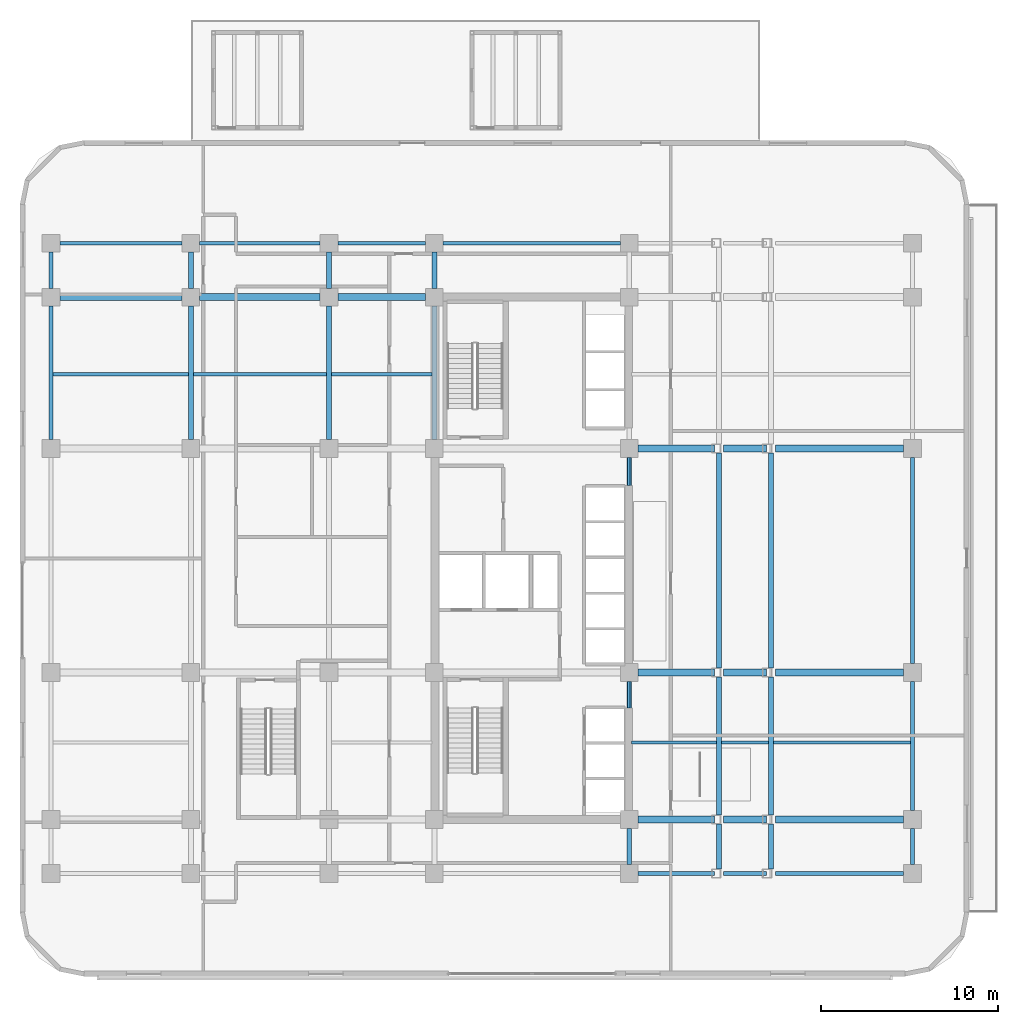
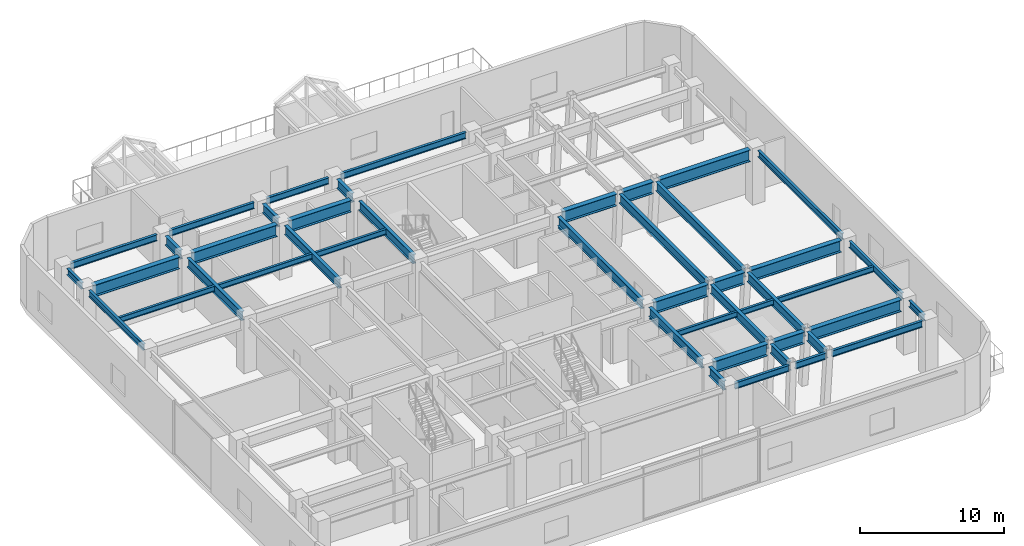
# One storey, part 4 of 18: 47 beams.
"""IFC4 building model written with IfcOpenShell, lengths in metres."""

from ifc_helpers import new_model, si_unit, direction, frame, origin, origin_2d, place, context, subcontext, project, spatial, i_section, extrude, material, material_profile, profile_set, type_object, element, save


model = new_model("IFC4")

# Units and contexts
model_context = context("Model", 3, precision=1e-05, world=origin(), true_north=direction((0.0, 1.0)))
body_context = subcontext(model_context, "Body", "Model", "MODEL_VIEW")
ifc_project = project(units=[si_unit("LENGTHUNIT", "METRE"), si_unit("AREAUNIT", "SQUARE_METRE"), si_unit("VOLUMEUNIT", "CUBIC_METRE"), si_unit("PLANEANGLEUNIT", "RADIAN"), si_unit("MASSUNIT", "GRAM", prefix="KILO")], contexts=[model_context])

# Site, building, storey
site_placement = place(None, origin())
site = spatial("IfcSite", under=ifc_project, at=site_placement, CompositionType="ELEMENT")
building_placement = place(site_placement, origin())
building = spatial("IfcBuilding", under=site, at=building_placement, Name="Ochreholt Gables", CompositionType="ELEMENT")
storey_placement = place(building_placement, frame((0.0, 0.0, 4.800048828125)))
storey = spatial("IfcBuildingStorey", under=building, at=storey_placement, Name="L01", CompositionType="ELEMENT", Elevation=4.800048828125)

# Beams
ifc_material = material(Name="Steel CSA G40.21 350W", Category="steel")
ifc_material_profile_1 = material_profile(ifc_material, i_section(OverallWidth=0.39990234375, OverallDepth=1.0, WebThickness=0.0166015625, FlangeThickness=0.031005859375, at=origin_2d()), Name="W1000X321")
ifc_profile_set_1 = profile_set([ifc_material_profile_1], Name="Steel CSA G40.21 350W")
beam_type_1 = type_object("IfcBeamType", Name="BM-G-W1000", PredefinedType="BEAM", material=ifc_profile_set_1)
beam_1_placement = place(storey_placement, frame((35.69970703125, 9.25, 4.02001953125), z_axis=(1.0, 0.0, 0.0), x_axis=(0.0, 1.0, 0.0)))
element("IfcBeam", 1, at=beam_1_placement, inside=storey, type_object=beam_type_1, Name="L01 Beam BG-L01-C2EM-Y2", PredefinedType="BEAM", context=body_context, shape_type="SweptSolid", body=[
    extrude(i_section(OverallWidth=0.39990234375, OverallDepth=1.0, WebThickness=0.0166015625, FlangeThickness=0.031005859375, at=origin_2d()), origin(), (0.0, 0.0, 1.0), 4.32275390625),
])
beam_2_placement = place(storey_placement, frame((40.521484375, 9.25, 4.02001953125), z_axis=(1.0, 0.0, 0.0), x_axis=(0.0, 1.0, 0.0)))
element("IfcBeam", 2, at=beam_2_placement, inside=storey, type_object=beam_type_1, Name="L01 Beam BG-L01-EMEE-Y2", PredefinedType="BEAM", context=body_context, shape_type="SweptSolid", body=[
    extrude(i_section(OverallWidth=0.39990234375, OverallDepth=1.0, WebThickness=0.0166015625, FlangeThickness=0.031005859375, at=origin_2d()), origin(), (0.0, 0.0, 1.0), 2.442626953125),
])
beam_3_placement = place(storey_placement, frame((43.463134765625, 9.25, 4.02001953125), z_axis=(1.0, 0.0, 0.0), x_axis=(0.0, 1.0, 0.0)))
element("IfcBeam", 3, at=beam_3_placement, inside=storey, type_object=beam_type_1, Name="L01 Beam BG-L01-EEE3-Y2", PredefinedType="BEAM", context=body_context, shape_type="SweptSolid", body=[
    extrude(i_section(OverallWidth=0.39990234375, OverallDepth=1.0, WebThickness=0.0166015625, FlangeThickness=0.031005859375, at=origin_2d()), origin(), (0.0, 0.0, 1.0), 7.2373046875),
])
beam_4_placement = place(storey_placement, frame((35.69970703125, 17.550048828125, 4.02001953125), z_axis=(1.0, 0.0, 0.0), x_axis=(0.0, 1.0, 0.0)))
element("IfcBeam", 4, at=beam_4_placement, inside=storey, type_object=beam_type_1, Name="L01 Beam BG-L01-C2EM-Y3", PredefinedType="BEAM", context=body_context, shape_type="SweptSolid", body=[
    extrude(i_section(OverallWidth=0.39990234375, OverallDepth=1.0, WebThickness=0.0166015625, FlangeThickness=0.031005859375, at=origin_2d()), origin(), (0.0, 0.0, 1.0), 4.32275390625),
])
beam_5_placement = place(storey_placement, frame((40.521484375, 17.550048828125, 4.02001953125), z_axis=(1.0, 0.0, 0.0), x_axis=(0.0, 1.0, 0.0)))
element("IfcBeam", 5, at=beam_5_placement, inside=storey, type_object=beam_type_1, Name="L01 Beam BG-L01-EMEE-Y3", PredefinedType="BEAM", context=body_context, shape_type="SweptSolid", body=[
    extrude(i_section(OverallWidth=0.39990234375, OverallDepth=1.0, WebThickness=0.0166015625, FlangeThickness=0.031005859375, at=origin_2d()), origin(), (0.0, 0.0, 1.0), 2.442626953125),
])
beam_6_placement = place(storey_placement, frame((43.463134765625, 17.550048828125, 4.02001953125), z_axis=(1.0, 0.0, 0.0), x_axis=(0.0, 1.0, 0.0)))
element("IfcBeam", 6, at=beam_6_placement, inside=storey, type_object=beam_type_1, Name="L01 Beam BG-L01-EEE3-Y3", PredefinedType="BEAM", context=body_context, shape_type="SweptSolid", body=[
    extrude(i_section(OverallWidth=0.39990234375, OverallDepth=1.0, WebThickness=0.0166015625, FlangeThickness=0.031005859375, at=origin_2d()), origin(), (0.0, 0.0, 1.0), 7.2373046875),
])
beam_7_placement = place(storey_placement, frame((35.69970703125, 30.199951171875, 4.02001953125), z_axis=(1.0, 0.0, 0.0), x_axis=(0.0, 1.0, 0.0)))
element("IfcBeam", 7, at=beam_7_placement, inside=storey, type_object=beam_type_1, Name="L01 Beam BG-L01-C2EM-Y4", PredefinedType="BEAM", context=body_context, shape_type="SweptSolid", body=[
    extrude(i_section(OverallWidth=0.39990234375, OverallDepth=1.0, WebThickness=0.0166015625, FlangeThickness=0.031005859375, at=origin_2d()), origin(), (0.0, 0.0, 1.0), 4.32275390625),
])
beam_8_placement = place(storey_placement, frame((40.521484375, 30.199951171875, 4.02001953125), z_axis=(1.0, 0.0, 0.0), x_axis=(0.0, 1.0, 0.0)))
element("IfcBeam", 8, at=beam_8_placement, inside=storey, type_object=beam_type_1, Name="L01 Beam BG-L01-EMEE-Y4", PredefinedType="BEAM", context=body_context, shape_type="SweptSolid", body=[
    extrude(i_section(OverallWidth=0.39990234375, OverallDepth=1.0, WebThickness=0.0166015625, FlangeThickness=0.031005859375, at=origin_2d()), origin(), (0.0, 0.0, 1.0), 2.442626953125),
])
beam_9_placement = place(storey_placement, frame((43.463134765625, 30.199951171875, 4.02001953125), z_axis=(1.0, 0.0, 0.0), x_axis=(0.0, 1.0, 0.0)))
element("IfcBeam", 9, at=beam_9_placement, inside=storey, type_object=beam_type_1, Name="L01 Beam BG-L01-EEE3-Y4", PredefinedType="BEAM", context=body_context, shape_type="SweptSolid", body=[
    extrude(i_section(OverallWidth=0.39990234375, OverallDepth=1.0, WebThickness=0.0166015625, FlangeThickness=0.031005859375, at=origin_2d()), origin(), (0.0, 0.0, 1.0), 7.2373046875),
])
beam_10_placement = place(storey_placement, frame((3.049560546875, 38.75, 4.02001953125), z_axis=(1.0, 0.0, 0.0), x_axis=(0.0, 1.0, 0.0)))
element("IfcBeam", 10, at=beam_10_placement, inside=storey, type_object=beam_type_1, Name="L01 Beam BG-L01-W1W2-Y5", PredefinedType="BEAM", context=body_context, shape_type="SweptSolid", body=[
    extrude(i_section(OverallWidth=0.39990234375, OverallDepth=1.0, WebThickness=0.0166015625, FlangeThickness=0.031005859375, at=origin_2d()), origin(), (0.0, 0.0, 1.0), 6.90087890625),
])
beam_11_placement = place(storey_placement, frame((10.94970703125, 38.75, 4.02001953125), z_axis=(1.0, 0.0, 0.0), x_axis=(0.0, 1.0, 0.0)))
element("IfcBeam", 11, at=beam_11_placement, inside=storey, type_object=beam_type_1, Name="L01 Beam BG-L01-W2W3-Y5", PredefinedType="BEAM", context=body_context, shape_type="SweptSolid", body=[
    extrude(i_section(OverallWidth=0.39990234375, OverallDepth=1.0, WebThickness=0.0166015625, FlangeThickness=0.031005859375, at=origin_2d()), origin(), (0.0, 0.0, 1.0), 6.80078125),
])
beam_12_placement = place(storey_placement, frame((18.74951171875, 38.75, 4.02001953125), z_axis=(1.0, 0.0, 0.0), x_axis=(0.0, 1.0, 0.0)))
element("IfcBeam", 12, at=beam_12_placement, inside=storey, type_object=beam_type_1, Name="L01 Beam BG-L01-W3C1-Y5", PredefinedType="BEAM", context=body_context, shape_type="SweptSolid", body=[
    extrude(i_section(OverallWidth=0.39990234375, OverallDepth=1.0, WebThickness=0.0166015625, FlangeThickness=0.031005859375, at=origin_2d()), origin(), (0.0, 0.0, 1.0), 4.950927734375),
])
ifc_material_profile_2 = material_profile(ifc_material, i_section(OverallWidth=0.26806640625, OverallDepth=0.77001953125, WebThickness=0.015625, FlangeThickness=0.025390625, at=origin_2d()), Name="W760X196")
ifc_profile_set_2 = profile_set([ifc_material_profile_2], Name="Steel CSA G40.21 350W")
beam_type_2 = type_object("IfcBeamType", Name="BM-G-W760", PredefinedType="BEAM", material=ifc_profile_set_2)
beam_13_placement = place(storey_placement, frame((10.449951171875, 30.69970703125, 4.135009765625), z_axis=(0.0, 1.0, 0.0), x_axis=(-1.0, 0.0, 0.0)))
element("IfcBeam", 13, at=beam_13_placement, inside=storey, type_object=beam_type_2, Name="L01 Beam BG-L01-W2-Y4Y5", PredefinedType="BEAM", context=body_context, shape_type="SweptSolid", body=[
    extrude(i_section(OverallWidth=0.26806640625, OverallDepth=0.77001953125, WebThickness=0.015625, FlangeThickness=0.025390625, at=origin_2d()), origin(), (0.0, 0.0, 1.0), 7.55078125),
])
beam_14_placement = place(storey_placement, frame((10.449951171875, 39.24951171875, 4.135009765625), z_axis=(0.0, 1.0, 0.0), x_axis=(-1.0, 0.0, 0.0)))
element("IfcBeam", 14, at=beam_14_placement, inside=storey, type_object=beam_type_2, Name="L01 Beam BG-L01-W2-Y5Y6", PredefinedType="BEAM", context=body_context, shape_type="SweptSolid", body=[
    extrude(i_section(OverallWidth=0.26806640625, OverallDepth=0.77001953125, WebThickness=0.015625, FlangeThickness=0.025390625, at=origin_2d()), origin(), (0.0, 0.0, 1.0), 2.05078125),
])
beam_15_placement = place(storey_placement, frame((18.25, 30.69970703125, 4.135009765625), z_axis=(0.0, 1.0, 0.0), x_axis=(-1.0, 0.0, 0.0)))
element("IfcBeam", 15, at=beam_15_placement, inside=storey, type_object=beam_type_2, Name="L01 Beam BG-L01-W3-Y4Y5", PredefinedType="BEAM", context=body_context, shape_type="SweptSolid", body=[
    extrude(i_section(OverallWidth=0.26806640625, OverallDepth=0.77001953125, WebThickness=0.015625, FlangeThickness=0.025390625, at=origin_2d()), origin(), (0.0, 0.0, 1.0), 7.55078125),
])
beam_16_placement = place(storey_placement, frame((18.25, 39.24951171875, 4.135009765625), z_axis=(0.0, 1.0, 0.0), x_axis=(-1.0, 0.0, 0.0)))
element("IfcBeam", 16, at=beam_16_placement, inside=storey, type_object=beam_type_2, Name="L01 Beam BG-L01-W3-Y5Y6", PredefinedType="BEAM", context=body_context, shape_type="SweptSolid", body=[
    extrude(i_section(OverallWidth=0.26806640625, OverallDepth=0.77001953125, WebThickness=0.015625, FlangeThickness=0.025390625, at=origin_2d()), origin(), (0.0, 0.0, 1.0), 2.05078125),
])
beam_17_placement = place(storey_placement, frame((24.199951171875, 30.69970703125, 4.135009765625), z_axis=(0.0, 1.0, 0.0), x_axis=(-1.0, 0.0, 0.0)))
element("IfcBeam", 17, at=beam_17_placement, inside=storey, type_object=beam_type_2, Name="L01 Beam BG-L01-C1-Y4Y5", PredefinedType="BEAM", context=body_context, shape_type="SweptSolid", body=[
    extrude(i_section(OverallWidth=0.26806640625, OverallDepth=0.77001953125, WebThickness=0.015625, FlangeThickness=0.025390625, at=origin_2d()), origin(), (0.0, 0.0, 1.0), 7.55078125),
])
for number, where, z_axis, x_axis, name in (
    (18, (24.199951171875, 39.24951171875, 4.135009765625), (0.0, 1.0, 0.0), (-1.0, 0.0, 0.0), "L01 Beam BG-L01-C1-Y5Y6"),
    (19, (35.199951171875, 6.69970703125, 4.135009765625), (0.0, 1.0, 0.0), (-1.0, 0.0, 0.0), "L01 Beam BG-L01-C2-Y1Y2"),
):
    element("IfcBeam", number, at=place(storey_placement, frame(where, z_axis=z_axis, x_axis=x_axis)), inside=storey, type_object=beam_type_2, Name=name, PredefinedType="BEAM", context=body_context, shape_type="SweptSolid", body=[
        extrude(i_section(OverallWidth=0.26806640625, OverallDepth=0.77001953125, WebThickness=0.015625, FlangeThickness=0.025390625, at=origin_2d()), origin(), (0.0, 0.0, 1.0), 2.05078125),
    ])
beam_18_placement = place(storey_placement, frame((35.199951171875, 9.74951171875, 4.135009765625), z_axis=(0.0, 1.0, 0.0), x_axis=(-1.0, 0.0, 0.0)))
element("IfcBeam", 20, at=beam_18_placement, inside=storey, type_object=beam_type_2, Name="L01 Beam BG-L01-C2-Y2Y3", PredefinedType="BEAM", context=body_context, shape_type="SweptSolid", body=[
    extrude(i_section(OverallWidth=0.26806640625, OverallDepth=0.77001953125, WebThickness=0.015625, FlangeThickness=0.025390625, at=origin_2d()), origin(), (0.0, 0.0, 1.0), 7.30078125),
])
beam_19_placement = place(storey_placement, frame((35.199951171875, 18.049560546875, 4.135009765625), z_axis=(0.0, 1.0, 0.0), x_axis=(-1.0, 0.0, 0.0)))
element("IfcBeam", 21, at=beam_19_placement, inside=storey, type_object=beam_type_2, Name="L01 Beam BG-L01-C2-Y3Y4", PredefinedType="BEAM", context=body_context, shape_type="SweptSolid", body=[
    extrude(i_section(OverallWidth=0.26806640625, OverallDepth=0.77001953125, WebThickness=0.015625, FlangeThickness=0.025390625, at=origin_2d()), origin(), (0.0, 0.0, 1.0), 11.65087890625),
])
beam_20_placement = place(storey_placement, frame((40.27197265625, 6.44970703125, 4.135009765625), z_axis=(0.0, 1.0, 0.0), x_axis=(-1.0, 0.0, 0.0)))
element("IfcBeam", 22, at=beam_20_placement, inside=storey, type_object=beam_type_2, Name="L01 Beam BG-L01-EM-Y1Y2", PredefinedType="BEAM", context=body_context, shape_type="SweptSolid", body=[
    extrude(i_section(OverallWidth=0.26806640625, OverallDepth=0.77001953125, WebThickness=0.015625, FlangeThickness=0.025390625, at=origin_2d()), origin(), (0.0, 0.0, 1.0), 2.55078125),
])
beam_21_placement = place(storey_placement, frame((40.27197265625, 9.49951171875, 4.135009765625), z_axis=(0.0, 1.0, 0.0), x_axis=(-1.0, 0.0, 0.0)))
element("IfcBeam", 23, at=beam_21_placement, inside=storey, type_object=beam_type_2, Name="L01 Beam BG-L01-EM-Y2Y3", PredefinedType="BEAM", context=body_context, shape_type="SweptSolid", body=[
    extrude(i_section(OverallWidth=0.26806640625, OverallDepth=0.77001953125, WebThickness=0.015625, FlangeThickness=0.025390625, at=origin_2d()), origin(), (0.0, 0.0, 1.0), 7.80078125),
])
beam_22_placement = place(storey_placement, frame((40.27197265625, 17.799560546875, 4.135009765625), z_axis=(0.0, 1.0, 0.0), x_axis=(-1.0, 0.0, 0.0)))
element("IfcBeam", 24, at=beam_22_placement, inside=storey, type_object=beam_type_2, Name="L01 Beam BG-L01-EM-Y3Y4", PredefinedType="BEAM", context=body_context, shape_type="SweptSolid", body=[
    extrude(i_section(OverallWidth=0.26806640625, OverallDepth=0.77001953125, WebThickness=0.015625, FlangeThickness=0.025390625, at=origin_2d()), origin(), (0.0, 0.0, 1.0), 12.15087890625),
])
beam_23_placement = place(storey_placement, frame((43.213623046875, 6.44970703125, 4.135009765625), z_axis=(0.0, 1.0, 0.0), x_axis=(-1.0, 0.0, 0.0)))
element("IfcBeam", 25, at=beam_23_placement, inside=storey, type_object=beam_type_2, Name="L01 Beam BG-L01-EE-Y1Y2", PredefinedType="BEAM", context=body_context, shape_type="SweptSolid", body=[
    extrude(i_section(OverallWidth=0.26806640625, OverallDepth=0.77001953125, WebThickness=0.015625, FlangeThickness=0.025390625, at=origin_2d()), origin(), (0.0, 0.0, 1.0), 2.55078125),
])
beam_24_placement = place(storey_placement, frame((43.213623046875, 9.49951171875, 4.135009765625), z_axis=(0.0, 1.0, 0.0), x_axis=(-1.0, 0.0, 0.0)))
element("IfcBeam", 26, at=beam_24_placement, inside=storey, type_object=beam_type_2, Name="L01 Beam BG-L01-EE-Y2Y3", PredefinedType="BEAM", context=body_context, shape_type="SweptSolid", body=[
    extrude(i_section(OverallWidth=0.26806640625, OverallDepth=0.77001953125, WebThickness=0.015625, FlangeThickness=0.025390625, at=origin_2d()), origin(), (0.0, 0.0, 1.0), 7.80078125),
])
beam_25_placement = place(storey_placement, frame((43.213623046875, 17.799560546875, 4.135009765625), z_axis=(0.0, 1.0, 0.0), x_axis=(-1.0, 0.0, 0.0)))
element("IfcBeam", 27, at=beam_25_placement, inside=storey, type_object=beam_type_2, Name="L01 Beam BG-L01-EE-Y3Y4", PredefinedType="BEAM", context=body_context, shape_type="SweptSolid", body=[
    extrude(i_section(OverallWidth=0.26806640625, OverallDepth=0.77001953125, WebThickness=0.015625, FlangeThickness=0.025390625, at=origin_2d()), origin(), (0.0, 0.0, 1.0), 12.15087890625),
])
ifc_material_profile_3 = material_profile(ifc_material, i_section(OverallWidth=0.18994140625, OverallDepth=0.45703125, WebThickness=0.009033203125, FlangeThickness=0.014404296875, at=origin_2d()), Name="W460X74")
ifc_profile_set_3 = profile_set([ifc_material_profile_3], Name="Steel CSA G40.21 350W")
beam_type_3 = type_object("IfcBeamType", Name="BM-J-W460B", PredefinedType="JOIST", material=ifc_profile_set_3)
beam_26_placement = place(storey_placement, frame((35.33349609375, 13.60009765625, 4.29150390625), z_axis=(1.0, 0.0, 0.0), x_axis=(0.0, 1.0, 0.0)))
element("IfcBeam", 28, at=beam_26_placement, inside=storey, type_object=beam_type_3, Name="L01 Beam BJ-L01-J1-C2EM", PredefinedType="JOIST", context=body_context, shape_type="SweptSolid", body=[
    extrude(i_section(OverallWidth=0.18994140625, OverallDepth=0.45703125, WebThickness=0.009033203125, FlangeThickness=0.014404296875, at=origin_2d()), origin(), (0.0, 0.0, 1.0), 4.804931640625),
])
beam_27_placement = place(storey_placement, frame((40.405517578125, 13.60009765625, 4.29150390625), z_axis=(1.0, 0.0, 0.0), x_axis=(0.0, 1.0, 0.0)))
element("IfcBeam", 29, at=beam_27_placement, inside=storey, type_object=beam_type_3, Name="L01 Beam BJ-L01-J1-EMEE", PredefinedType="JOIST", context=body_context, shape_type="SweptSolid", body=[
    extrude(i_section(OverallWidth=0.18994140625, OverallDepth=0.45703125, WebThickness=0.009033203125, FlangeThickness=0.014404296875, at=origin_2d()), origin(), (0.0, 0.0, 1.0), 2.674560546875),
])
beam_28_placement = place(storey_placement, frame((43.34716796875, 13.60009765625, 4.29150390625), z_axis=(1.0, 0.0, 0.0), x_axis=(0.0, 1.0, 0.0)))
element("IfcBeam", 30, at=beam_28_placement, inside=storey, type_object=beam_type_3, Name="L01 Beam BJ-L01-J1-EEE3", PredefinedType="JOIST", context=body_context, shape_type="SweptSolid", body=[
    extrude(i_section(OverallWidth=0.18994140625, OverallDepth=0.45703125, WebThickness=0.009033203125, FlangeThickness=0.014404296875, at=origin_2d()), origin(), (0.0, 0.0, 1.0), 7.748779296875),
])
beam_29_placement = place(storey_placement, frame((2.654052734375, 34.39990234375, 4.29150390625), z_axis=(1.0, 0.0, 0.0), x_axis=(0.0, 1.0, 0.0)))
element("IfcBeam", 31, at=beam_29_placement, inside=storey, type_object=beam_type_3, Name="L01 Beam BJ-L01-J2-W1W2", PredefinedType="JOIST", context=body_context, shape_type="SweptSolid", body=[
    extrude(i_section(OverallWidth=0.18994140625, OverallDepth=0.45703125, WebThickness=0.009033203125, FlangeThickness=0.014404296875, at=origin_2d()), origin(), (0.0, 0.0, 1.0), 7.662353515625),
])
beam_30_placement = place(storey_placement, frame((10.58349609375, 34.39990234375, 4.29150390625), z_axis=(1.0, 0.0, 0.0), x_axis=(0.0, 1.0, 0.0)))
element("IfcBeam", 32, at=beam_30_placement, inside=storey, type_object=beam_type_3, Name="L01 Beam BJ-L01-J2-W2W3", PredefinedType="JOIST", context=body_context, shape_type="SweptSolid", body=[
    extrude(i_section(OverallWidth=0.18994140625, OverallDepth=0.45703125, WebThickness=0.009033203125, FlangeThickness=0.014404296875, at=origin_2d()), origin(), (0.0, 0.0, 1.0), 7.532958984375),
])
beam_31_placement = place(storey_placement, frame((18.383544921875, 34.39990234375, 4.29150390625), z_axis=(1.0, 0.0, 0.0), x_axis=(0.0, 1.0, 0.0)))
element("IfcBeam", 33, at=beam_31_placement, inside=storey, type_object=beam_type_3, Name="L01 Beam BJ-L01-J2-W3C1", PredefinedType="JOIST", context=body_context, shape_type="SweptSolid", body=[
    extrude(i_section(OverallWidth=0.18994140625, OverallDepth=0.45703125, WebThickness=0.009033203125, FlangeThickness=0.014404296875, at=origin_2d()), origin(), (0.0, 0.0, 1.0), 5.682861328125),
])
ifc_material_profile_4 = material_profile(ifc_material, i_section(OverallWidth=0.1650390625, OverallDepth=0.200927734375, WebThickness=0.006103515625, FlangeThickness=0.01025390625, at=origin_2d()), Name="W200X36")
ifc_profile_set_4 = profile_set([ifc_material_profile_4], Name="Steel CSA G40.21 350W")
beam_type_4 = type_object("IfcBeamType", Name="BM-LIN-W200", PredefinedType="LINTEL", material=ifc_profile_set_4)
beam_32_placement = place(storey_placement, frame((35.175048828125, 15.550048828125, 3.6494140625), z_axis=(0.0, 1.0, 0.0), x_axis=(-1.0, 0.0, 0.0)))
element("IfcBeam", 34, at=beam_32_placement, inside=storey, type_object=beam_type_4, Name="L01 Core Coupling Lintel CPS", PredefinedType="LINTEL", context=body_context, shape_type="SweptSolid", body=[
    extrude(i_section(OverallWidth=0.1650390625, OverallDepth=0.200927734375, WebThickness=0.006103515625, FlangeThickness=0.01025390625, at=origin_2d()), origin(), (0.0, 0.0, 1.0), 1.5),
])
beam_33_placement = place(storey_placement, frame((35.175048828125, 28.10009765625, 3.6494140625), z_axis=(0.0, 1.0, 0.0), x_axis=(-1.0, 0.0, 0.0)))
element("IfcBeam", 35, at=beam_33_placement, inside=storey, type_object=beam_type_4, Name="L01 Core Coupling Lintel CPN", PredefinedType="LINTEL", context=body_context, shape_type="SweptSolid", body=[
    extrude(i_section(OverallWidth=0.1650390625, OverallDepth=0.200927734375, WebThickness=0.006103515625, FlangeThickness=0.01025390625, at=origin_2d()), origin(), (0.0, 0.0, 1.0), 1.599853515625),
])
ifc_material_profile_5 = material_profile(ifc_material, i_section(OverallWidth=0.208984375, OverallDepth=0.532958984375, WebThickness=0.01025390625, FlangeThickness=0.015625, at=origin_2d()), Name="W530X92")
ifc_profile_set_5 = profile_set([ifc_material_profile_5], Name="Steel CSA G40.21 350W")
beam_type_5 = type_object("IfcBeamType", Name="BM-SP-W530B", PredefinedType="SPANDREL", material=ifc_profile_set_5)
beam_34_placement = place(storey_placement, frame((35.69970703125, 6.199951171875, 4.25341796875), z_axis=(1.0, 0.0, 0.0), x_axis=(0.0, 1.0, 0.0)))
element("IfcBeam", 36, at=beam_34_placement, inside=storey, type_object=beam_type_5, Name="L01 Beam BG-L01-C2EM-Y1", PredefinedType="SPANDREL", context=body_context, shape_type="SweptSolid", body=[
    extrude(i_section(OverallWidth=0.208984375, OverallDepth=0.532958984375, WebThickness=0.01025390625, FlangeThickness=0.015625, at=origin_2d()), origin(), (0.0, 0.0, 1.0), 4.32275390625),
])
beam_35_placement = place(storey_placement, frame((40.521484375, 6.199951171875, 4.25341796875), z_axis=(1.0, 0.0, 0.0), x_axis=(0.0, 1.0, 0.0)))
element("IfcBeam", 37, at=beam_35_placement, inside=storey, type_object=beam_type_5, Name="L01 Beam BG-L01-EMEE-Y1", PredefinedType="SPANDREL", context=body_context, shape_type="SweptSolid", body=[
    extrude(i_section(OverallWidth=0.208984375, OverallDepth=0.532958984375, WebThickness=0.01025390625, FlangeThickness=0.015625, at=origin_2d()), origin(), (0.0, 0.0, 1.0), 2.442626953125),
])
beam_36_placement = place(storey_placement, frame((43.463134765625, 6.199951171875, 4.25341796875), z_axis=(1.0, 0.0, 0.0), x_axis=(0.0, 1.0, 0.0)))
element("IfcBeam", 38, at=beam_36_placement, inside=storey, type_object=beam_type_5, Name="L01 Beam BG-L01-EEE3-Y1", PredefinedType="SPANDREL", context=body_context, shape_type="SweptSolid", body=[
    extrude(i_section(OverallWidth=0.208984375, OverallDepth=0.532958984375, WebThickness=0.01025390625, FlangeThickness=0.015625, at=origin_2d()), origin(), (0.0, 0.0, 1.0), 7.2373046875),
])
beam_37_placement = place(storey_placement, frame((3.049560546875, 41.800048828125, 4.25341796875), z_axis=(1.0, 0.0, 0.0), x_axis=(0.0, 1.0, 0.0)))
element("IfcBeam", 39, at=beam_37_placement, inside=storey, type_object=beam_type_5, Name="L01 Beam BG-L01-W1W2-Y6", PredefinedType="SPANDREL", context=body_context, shape_type="SweptSolid", body=[
    extrude(i_section(OverallWidth=0.208984375, OverallDepth=0.532958984375, WebThickness=0.01025390625, FlangeThickness=0.015625, at=origin_2d()), origin(), (0.0, 0.0, 1.0), 6.90087890625),
])
beam_38_placement = place(storey_placement, frame((10.94970703125, 41.800048828125, 4.25341796875), z_axis=(1.0, 0.0, 0.0), x_axis=(0.0, 1.0, 0.0)))
element("IfcBeam", 40, at=beam_38_placement, inside=storey, type_object=beam_type_5, Name="L01 Beam BG-L01-W2W3-Y6", PredefinedType="SPANDREL", context=body_context, shape_type="SweptSolid", body=[
    extrude(i_section(OverallWidth=0.208984375, OverallDepth=0.532958984375, WebThickness=0.01025390625, FlangeThickness=0.015625, at=origin_2d()), origin(), (0.0, 0.0, 1.0), 6.80078125),
])
beam_39_placement = place(storey_placement, frame((18.74951171875, 41.800048828125, 4.25341796875), z_axis=(1.0, 0.0, 0.0), x_axis=(0.0, 1.0, 0.0)))
element("IfcBeam", 41, at=beam_39_placement, inside=storey, type_object=beam_type_5, Name="L01 Beam BG-L01-W3C1-Y6", PredefinedType="SPANDREL", context=body_context, shape_type="SweptSolid", body=[
    extrude(i_section(OverallWidth=0.208984375, OverallDepth=0.532958984375, WebThickness=0.01025390625, FlangeThickness=0.015625, at=origin_2d()), origin(), (0.0, 0.0, 1.0), 4.950927734375),
])
beam_40_placement = place(storey_placement, frame((24.69970703125, 41.800048828125, 4.25341796875), z_axis=(1.0, 0.0, 0.0), x_axis=(0.0, 1.0, 0.0)))
element("IfcBeam", 42, at=beam_40_placement, inside=storey, type_object=beam_type_5, Name="L01 Beam BG-L01-C1C2-Y6", PredefinedType="SPANDREL", context=body_context, shape_type="SweptSolid", body=[
    extrude(i_section(OverallWidth=0.208984375, OverallDepth=0.532958984375, WebThickness=0.01025390625, FlangeThickness=0.015625, at=origin_2d()), origin(), (0.0, 0.0, 1.0), 10.000732421875),
])
beam_41_placement = place(storey_placement, frame((2.550048828125, 30.69970703125, 4.25341796875), z_axis=(0.0, 1.0, 0.0), x_axis=(-1.0, 0.0, 0.0)))
element("IfcBeam", 43, at=beam_41_placement, inside=storey, type_object=beam_type_5, Name="L01 Beam BG-L01-W1-Y4Y5", PredefinedType="SPANDREL", context=body_context, shape_type="SweptSolid", body=[
    extrude(i_section(OverallWidth=0.208984375, OverallDepth=0.532958984375, WebThickness=0.01025390625, FlangeThickness=0.015625, at=origin_2d()), origin(), (0.0, 0.0, 1.0), 7.55078125),
])
for number, where, z_axis, x_axis, name in (
    (44, (2.550048828125, 39.24951171875, 4.25341796875), (0.0, 1.0, 0.0), (-1.0, 0.0, 0.0), "L01 Beam BG-L01-W1-Y5Y6"),
    (45, (51.199951171875, 6.69970703125, 4.25341796875), (0.0, 1.0, 0.0), (-1.0, 0.0, 0.0), "L01 Beam BG-L01-E3-Y1Y2"),
):
    element("IfcBeam", number, at=place(storey_placement, frame(where, z_axis=z_axis, x_axis=x_axis)), inside=storey, type_object=beam_type_5, Name=name, PredefinedType="SPANDREL", context=body_context, shape_type="SweptSolid", body=[
        extrude(i_section(OverallWidth=0.208984375, OverallDepth=0.532958984375, WebThickness=0.01025390625, FlangeThickness=0.015625, at=origin_2d()), origin(), (0.0, 0.0, 1.0), 2.05078125),
    ])
beam_42_placement = place(storey_placement, frame((51.199951171875, 9.74951171875, 4.25341796875), z_axis=(0.0, 1.0, 0.0), x_axis=(-1.0, 0.0, 0.0)))
element("IfcBeam", 46, at=beam_42_placement, inside=storey, type_object=beam_type_5, Name="L01 Beam BG-L01-E3-Y2Y3", PredefinedType="SPANDREL", context=body_context, shape_type="SweptSolid", body=[
    extrude(i_section(OverallWidth=0.208984375, OverallDepth=0.532958984375, WebThickness=0.01025390625, FlangeThickness=0.015625, at=origin_2d()), origin(), (0.0, 0.0, 1.0), 7.30078125),
])
beam_43_placement = place(storey_placement, frame((51.199951171875, 18.049560546875, 4.25341796875), z_axis=(0.0, 1.0, 0.0), x_axis=(-1.0, 0.0, 0.0)))
element("IfcBeam", 47, at=beam_43_placement, inside=storey, type_object=beam_type_5, Name="L01 Beam BG-L01-E3-Y3Y4", PredefinedType="SPANDREL", context=body_context, shape_type="SweptSolid", body=[
    extrude(i_section(OverallWidth=0.208984375, OverallDepth=0.532958984375, WebThickness=0.01025390625, FlangeThickness=0.015625, at=origin_2d()), origin(), (0.0, 0.0, 1.0), 11.65087890625),
])

save(model, "model.ifc")
